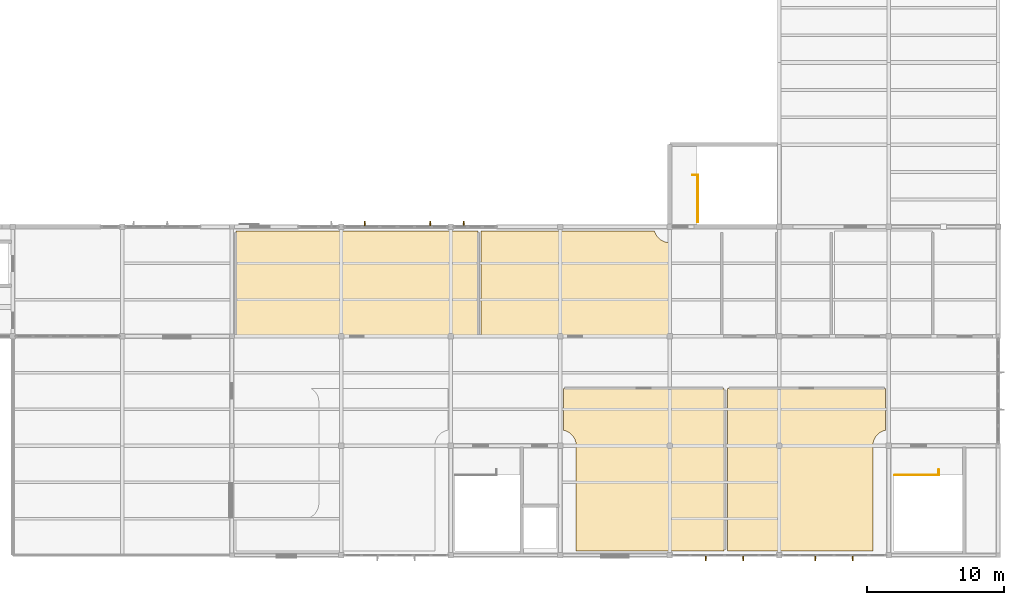
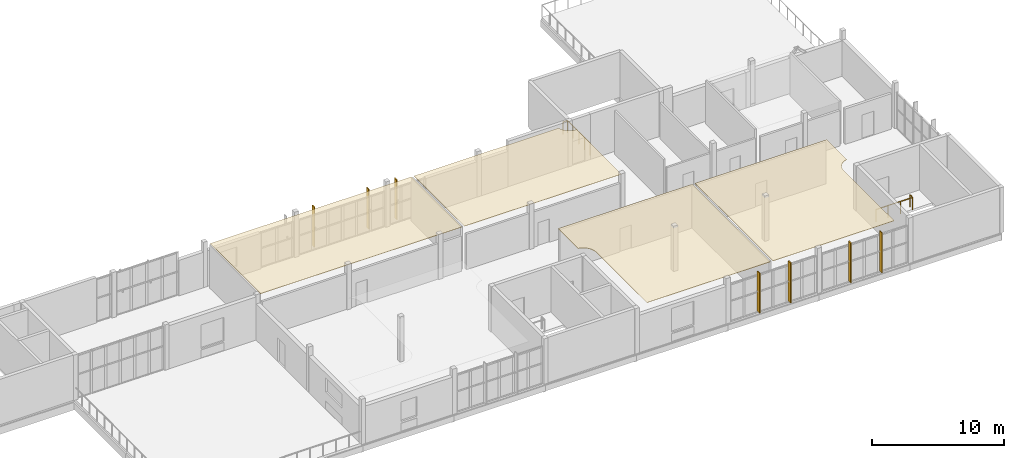
# One storey, part 14 of 15: 7 shading devices, 4 coverings, 2 railings.
"""IFC4 building model written with IfcOpenShell, lengths in metres."""

from ifc_helpers import new_model, si_unit, direction, frame, origin, origin_2d, place, context, subcontext, project, spatial, polyline, rectangle, circle, outline, extrude, material, layer, layer_set, type_object, element, save


model = new_model("IFC4")

# Units and contexts
model_context = context("Model", 3, precision=1e-05, world=origin(), true_north=direction((0.0, 1.0)))
body_context = subcontext(model_context, "Body", "Model", "MODEL_VIEW")
ifc_project = project(units=[si_unit("LENGTHUNIT", "METRE"), si_unit("AREAUNIT", "SQUARE_METRE"), si_unit("VOLUMEUNIT", "CUBIC_METRE"), si_unit("PLANEANGLEUNIT", "RADIAN"), si_unit("MASSUNIT", "GRAM", prefix="KILO")], contexts=[model_context])

# Site, building, storey
site_placement = place(None, origin())
site = spatial("IfcSite", under=ifc_project, at=site_placement, CompositionType="ELEMENT")
building_placement = place(site_placement, origin())
building = spatial("IfcBuilding", under=site, at=building_placement, Name="Solvane Community Centre", CompositionType="ELEMENT")
storey_placement = place(building_placement, frame((0.0, 0.0, 18.0)))
storey = spatial("IfcBuildingStorey", under=building, at=storey_placement, Name="L04", CompositionType="ELEMENT", Elevation=18.0)

# Coverings
ifc_material_1 = material(Name="Acoustic timber slat ceiling", Category="wood")
ifc_layer = layer(ifc_material_1, 0.0400390625)
ifc_layer_set = layer_set([ifc_layer], Name="Acoustic timber slat ceiling")
covering_type = type_object("IfcCoveringType", Name="Acoustic Timber Slat Suspended Ceiling", PredefinedType="CEILING", material=ifc_layer_set)
covering_1_placement = place(storey_placement, frame((0.0, 0.0, 3.97509765625)))
element("IfcCovering", 1, at=covering_1_placement, inside=storey, type_object=covering_type, Name="Acoustic Ceiling L04-05", PredefinedType="CEILING", context=body_context, shape_type="SweptSolid", body=[
    extrude(outline(polyline([(108.219970703125, 18.179931640625), (119.97998046875, 18.179931640625), (119.97998046875, 6.320068359375), (109.159912109375, 6.320068359375), (109.159912109375, 14.0), (109.15869140625, 14.049072265625), (109.157958984375, 14.064697265625), (109.1484375, 14.162353515625), (109.14599609375, 14.177978515625), (109.126953125, 14.274169921875), (109.123046875, 14.289306640625), (109.0947265625, 14.38330078125), (109.08935546875, 14.398193359375), (109.0517578125, 14.48876953125), (109.045166015625, 14.5029296875), (108.998779296875, 14.589599609375), (108.99072265625, 14.60302734375), (108.936279296875, 14.6845703125), (108.927001953125, 14.697265625), (108.864501953125, 14.773193359375), (108.85400390625, 14.78466796875), (108.78466796875, 14.85400390625), (108.773193359375, 14.864501953125), (108.697265625, 14.927001953125), (108.6845703125, 14.936279296875), (108.60302734375, 14.99072265625), (108.589599609375, 14.998779296875), (108.5029296875, 15.045166015625), (108.48876953125, 15.0517578125), (108.398193359375, 15.08935546875), (108.38330078125, 15.0947265625), (108.289306640625, 15.123046875), (108.274169921875, 15.126953125), (108.219970703125, 15.1376953125), (108.219970703125, 18.179931640625)])), origin(), (0.0, 0.0, 1.0), 0.039794921875),
])
covering_2_placement = place(storey_placement, frame((0.0, 0.0, 3.97509765625)))
element("IfcCovering", 2, at=covering_2_placement, inside=storey, type_object=covering_type, Name="Acoustic Ceiling L04-06", PredefinedType="CEILING", context=body_context, shape_type="SweptSolid", body=[
    extrude(outline(polyline([(120.219970703125, 6.320068359375), (120.219970703125, 18.179931640625), (131.780029296875, 18.179931640625), (131.780029296875, 15.1376953125), (131.725830078125, 15.126953125), (131.710693359375, 15.123046875), (131.61669921875, 15.0947265625), (131.601806640625, 15.08935546875), (131.51123046875, 15.0517578125), (131.4970703125, 15.045166015625), (131.410400390625, 14.998779296875), (131.39697265625, 14.99072265625), (131.3154296875, 14.936279296875), (131.302734375, 14.927001953125), (131.226806640625, 14.864501953125), (131.21533203125, 14.85400390625), (131.14599609375, 14.78466796875), (131.135498046875, 14.773193359375), (131.072998046875, 14.697265625), (131.063720703125, 14.6845703125), (131.00927734375, 14.60302734375), (131.001220703125, 14.589599609375), (130.954833984375, 14.5029296875), (130.9482421875, 14.48876953125), (130.91064453125, 14.398193359375), (130.9052734375, 14.38330078125), (130.876953125, 14.289306640625), (130.873046875, 14.274169921875), (130.85400390625, 14.177978515625), (130.8515625, 14.162353515625), (130.842041015625, 14.064697265625), (130.84130859375, 14.049072265625), (130.840087890625, 14.0), (130.840087890625, 6.320068359375), (120.219970703125, 6.320068359375)])), origin(), (0.0, 0.0, 1.0), 0.039794921875),
])
covering_3_placement = place(storey_placement, frame((0.0, 0.0, 3.97509765625)))
element("IfcCovering", 3, at=covering_3_placement, inside=storey, type_object=covering_type, Name="Acoustic Ceiling L04-07", PredefinedType="CEILING", context=body_context, shape_type="SweptSolid", body=[
    extrude(outline(polyline([(84.320068359375, 22.02001953125), (84.320068359375, 29.679931640625), (101.97998046875, 29.679931640625), (101.97998046875, 22.02001953125), (84.320068359375, 22.02001953125)])), origin(), (0.0, 0.0, 1.0), 0.039794921875),
])
covering_4_placement = place(storey_placement, frame((0.0, 0.0, 3.97509765625)))
element("IfcCovering", 4, at=covering_4_placement, inside=storey, type_object=covering_type, Name="Acoustic Ceiling L04-08", PredefinedType="CEILING", context=body_context, shape_type="SweptSolid", body=[
    extrude(outline(polyline([(115.97998046875, 22.02001953125), (102.219970703125, 22.02001953125), (102.219970703125, 29.679931640625), (114.885986328125, 29.679931640625), (114.9052734375, 29.61669921875), (114.91064453125, 29.601806640625), (114.9482421875, 29.51123046875), (114.954833984375, 29.4970703125), (115.001220703125, 29.410400390625), (115.00927734375, 29.39697265625), (115.063720703125, 29.3154296875), (115.072998046875, 29.302734375), (115.135498046875, 29.226806640625), (115.14599609375, 29.21533203125), (115.21533203125, 29.14599609375), (115.226806640625, 29.135498046875), (115.302734375, 29.072998046875), (115.3154296875, 29.063720703125), (115.39697265625, 29.00927734375), (115.410400390625, 29.001220703125), (115.4970703125, 28.954833984375), (115.51123046875, 28.9482421875), (115.601806640625, 28.91064453125), (115.61669921875, 28.9052734375), (115.710693359375, 28.876953125), (115.725830078125, 28.873046875), (115.822021484375, 28.85400390625), (115.837646484375, 28.8515625), (115.935302734375, 28.842041015625), (115.950927734375, 28.84130859375), (115.97998046875, 28.840576171875), (115.97998046875, 22.02001953125)])), origin(), (0.0, 0.0, 1.0), 0.039794921875),
])

# Shading devices
ifc_material_2 = material(Name="Anodised bronze aluminium AW-6063 T6", Category="aluminium")
shading_device_type = type_object("IfcShadingDeviceType", Name="Art Deco Bronze Solar Fin 80x360", PredefinedType="USERDEFINED", material=ifc_material_2)
shading_device_1_placement = place(storey_placement, frame((129.360107421875, 5.760009765625, 0.14990234375), z_axis=(0.0, 0.0, 1.0), x_axis=(-1.0, 0.0, 0.0)))
element("IfcShadingDevice", 5, at=shading_device_1_placement, inside=storey, type_object=shading_device_type, Name="Solar Brise-Soleil Fin 121", ObjectType="Solar Brise-Soleil Fin 121", PredefinedType="USERDEFINED", context=body_context, shape_type="SweptSolid", body=[
    extrude(rectangle(XDim=0.080078125, YDim=0.360107421875, at=origin_2d()), origin(), (0.0, 0.0, 1.0), 3.699951171875),
])
shading_device_2_placement = place(storey_placement, frame((126.639892578125, 5.760009765625, 0.14990234375), z_axis=(0.0, 0.0, 1.0), x_axis=(-1.0, 0.0, 0.0)))
element("IfcShadingDevice", 6, at=shading_device_2_placement, inside=storey, type_object=shading_device_type, Name="Solar Brise-Soleil Fin 122", ObjectType="Solar Brise-Soleil Fin 122", PredefinedType="USERDEFINED", context=body_context, shape_type="SweptSolid", body=[
    extrude(rectangle(XDim=0.080078125, YDim=0.360107421875, at=origin_2d()), origin(), (0.0, 0.0, 1.0), 3.699951171875),
])
shading_device_3_placement = place(storey_placement, frame((121.360107421875, 5.760009765625, 0.14990234375), z_axis=(0.0, 0.0, 1.0), x_axis=(-1.0, 0.0, 0.0)))
element("IfcShadingDevice", 7, at=shading_device_3_placement, inside=storey, type_object=shading_device_type, Name="Solar Brise-Soleil Fin 123", ObjectType="Solar Brise-Soleil Fin 123", PredefinedType="USERDEFINED", context=body_context, shape_type="SweptSolid", body=[
    extrude(rectangle(XDim=0.080078125, YDim=0.360107421875, at=origin_2d()), origin(), (0.0, 0.0, 1.0), 3.699951171875),
])
shading_device_4_placement = place(storey_placement, frame((118.639892578125, 5.760009765625, 0.14990234375), z_axis=(0.0, 0.0, 1.0), x_axis=(-1.0, 0.0, 0.0)))
element("IfcShadingDevice", 8, at=shading_device_4_placement, inside=storey, type_object=shading_device_type, Name="Solar Brise-Soleil Fin 124", ObjectType="Solar Brise-Soleil Fin 124", PredefinedType="USERDEFINED", context=body_context, shape_type="SweptSolid", body=[
    extrude(rectangle(XDim=0.080078125, YDim=0.360107421875, at=origin_2d()), origin(), (0.0, 0.0, 1.0), 3.699951171875),
])
shading_device_5_placement = place(storey_placement, frame((93.727783203125, 30.239990234375, 0.14990234375), z_axis=(0.0, 0.0, 1.0), x_axis=(1.0, 0.0, 0.0)))
element("IfcShadingDevice", 9, at=shading_device_5_placement, inside=storey, type_object=shading_device_type, Name="Solar Brise-Soleil Fin 130", ObjectType="Solar Brise-Soleil Fin 130", PredefinedType="USERDEFINED", context=body_context, shape_type="SweptSolid", body=[
    extrude(rectangle(XDim=0.080078125, YDim=0.360107421875, at=origin_2d()), origin(), (0.0, 0.0, 1.0), 3.699951171875),
])
shading_device_6_placement = place(storey_placement, frame((98.494384765625, 30.239990234375, 0.14990234375), z_axis=(0.0, 0.0, 1.0), x_axis=(1.0, 0.0, 0.0)))
element("IfcShadingDevice", 10, at=shading_device_6_placement, inside=storey, type_object=shading_device_type, Name="Solar Brise-Soleil Fin 131", ObjectType="Solar Brise-Soleil Fin 131", PredefinedType="USERDEFINED", context=body_context, shape_type="SweptSolid", body=[
    extrude(rectangle(XDim=0.080078125, YDim=0.360107421875, at=origin_2d()), origin(), (0.0, 0.0, 1.0), 3.699951171875),
])
shading_device_7_placement = place(storey_placement, frame((100.949951171875, 30.239990234375, 0.14990234375), z_axis=(0.0, 0.0, 1.0), x_axis=(1.0, 0.0, 0.0)))
element("IfcShadingDevice", 11, at=shading_device_7_placement, inside=storey, type_object=shading_device_type, Name="Solar Brise-Soleil Fin 132", ObjectType="Solar Brise-Soleil Fin 132", PredefinedType="USERDEFINED", context=body_context, shape_type="SweptSolid", body=[
    extrude(rectangle(XDim=0.080078125, YDim=0.360107421875, at=origin_2d()), origin(), (0.0, 0.0, 1.0), 3.699951171875),
])

# Railings
railing_type = type_object("IfcRailingType", Name="Interior Gallery & Stair Well Guard 1150mm", PredefinedType="BALUSTRADE", material=ifc_material_2)
railing_1_placement = place(storey_placement, frame((132.43994140625, 11.860107421875, 0.0)))
element("IfcRailing", 12, at=railing_1_placement, inside=storey, type_object=railing_type, Name="Railing GR-L04-057", PredefinedType="BALUSTRADE", context=body_context, shape_type="SweptSolid", body=[
    extrude(circle(Radius=0.02392578125, at=origin_2d()), frame((0.0, 0.0, 1.1259765625), z_axis=(1.0, 0.0, 0.0), x_axis=(0.0, 1.0, 0.0)), (0.0, 0.0, 1.0), 3.2099609375),
    extrude(circle(Radius=0.02392578125, at=origin_2d()), frame((3.2099609375, 0.0, 1.1259765625), z_axis=(0.0, 1.0, 0.0), x_axis=(-1.0, 0.0, 0.0)), (0.0, 0.0, 1.0), 0.389892578125),
    extrude(circle(Radius=0.02099609375, at=origin_2d()), origin(), (0.0, 0.0, 1.0), 1.101806640625),
    extrude(circle(Radius=0.02099609375, at=origin_2d()), frame((1.070068359375, 0.0, 0.0)), (0.0, 0.0, 1.0), 1.101806640625),
    extrude(circle(Radius=0.02099609375, at=origin_2d()), frame((2.139892578125, 0.0, 0.0)), (0.0, 0.0, 1.0), 1.101806640625),
    extrude(circle(Radius=0.02099609375, at=origin_2d()), frame((3.2099609375, 0.0, 0.0)), (0.0, 0.0, 1.0), 1.101806640625),
    extrude(circle(Radius=0.02099609375, at=origin_2d()), frame((3.2099609375, 0.389892578125, 0.0)), (0.0, 0.0, 1.0), 1.101806640625),
])
railing_2_placement = place(storey_placement, frame((118.0400390625, 30.340087890625, 0.0)))
element("IfcRailing", 13, at=railing_2_placement, inside=storey, type_object=railing_type, Name="Railing GR-L04-076", PredefinedType="BALUSTRADE", context=body_context, shape_type="SweptSolid", body=[
    extrude(circle(Radius=0.02392578125, at=origin_2d()), frame((0.0, 0.0, 1.1259765625), z_axis=(0.0, 1.0, 0.0), x_axis=(-1.0, 0.0, 0.0)), (0.0, 0.0, 1.0), 3.449951171875),
    extrude(circle(Radius=0.02392578125, at=origin_2d()), frame((0.0, 3.449951171875, 1.1259765625), z_axis=(-1.0, 0.0, 0.0), x_axis=(0.0, -1.0, 0.0)), (0.0, 0.0, 1.0), 0.39013671875),
    extrude(circle(Radius=0.02099609375, at=origin_2d()), origin(), (0.0, 0.0, 1.0), 1.101806640625),
    extrude(circle(Radius=0.02099609375, at=origin_2d()), frame((0.0, 0.862548828125, 0.0)), (0.0, 0.0, 1.0), 1.101806640625),
    extrude(circle(Radius=0.02099609375, at=origin_2d()), frame((0.0, 1.72509765625, 0.0)), (0.0, 0.0, 1.0), 1.101806640625),
    extrude(circle(Radius=0.02099609375, at=origin_2d()), frame((0.0, 2.58740234375, 0.0)), (0.0, 0.0, 1.0), 1.101806640625),
    extrude(circle(Radius=0.02099609375, at=origin_2d()), frame((0.0, 3.449951171875, 0.0)), (0.0, 0.0, 1.0), 1.101806640625),
    extrude(circle(Radius=0.02099609375, at=origin_2d()), frame((-0.39013671875, 3.449951171875, 0.0)), (0.0, 0.0, 1.0), 1.101806640625),
])

save(model, "model.ifc")
